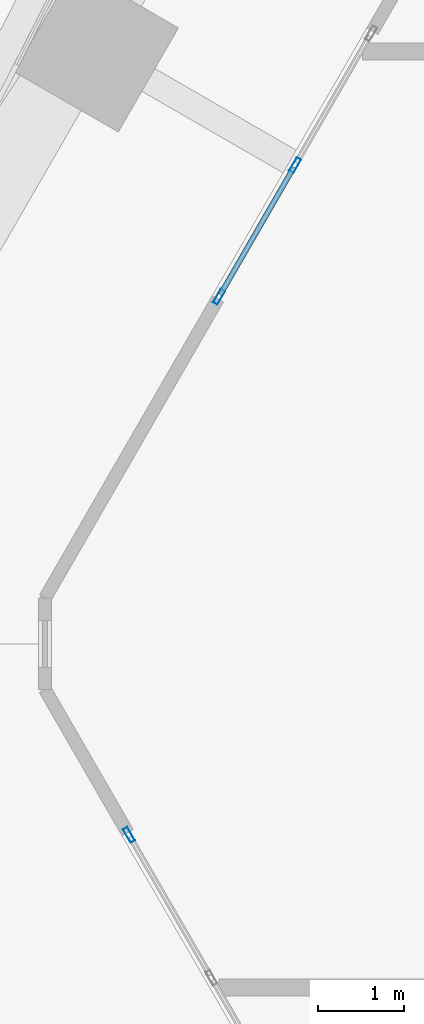
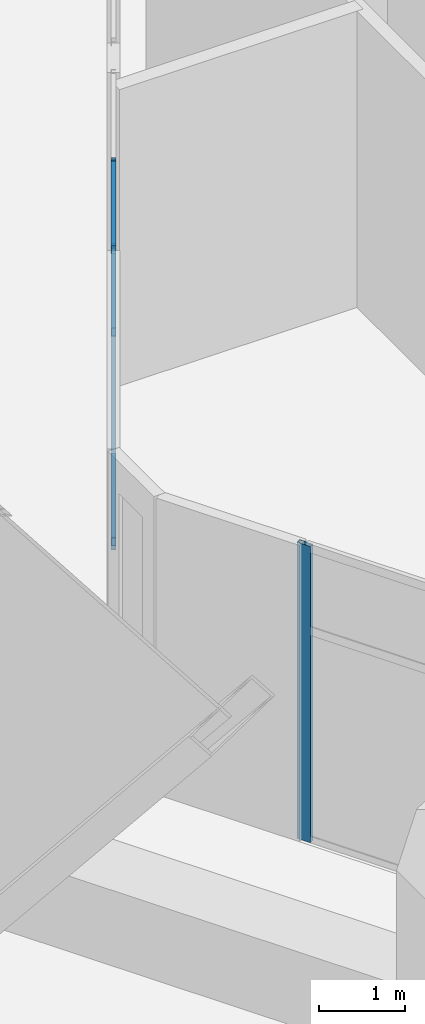
# One storey, part 23 of 71: 6 members, 2 elements without a shape of their own.
"""IFC4 building model written with IfcOpenShell, lengths in metres."""

from ifc_helpers import new_model, si_unit, direction, frame, origin, origin_2d, place, context, subcontext, project, spatial, hollow_rectangle, extrude, material, material_profile, profile_set, type_object, element, aggregate, save


model = new_model("IFC4")

# Units and contexts
model_context = context("Model", 3, precision=1e-05, world=origin(), true_north=direction((0.0, 1.0)))
body_context = subcontext(model_context, "Body", "Model", "MODEL_VIEW")
ifc_project = project(units=[si_unit("LENGTHUNIT", "METRE"), si_unit("AREAUNIT", "SQUARE_METRE"), si_unit("VOLUMEUNIT", "CUBIC_METRE"), si_unit("PLANEANGLEUNIT", "RADIAN"), si_unit("MASSUNIT", "GRAM", prefix="KILO")], contexts=[model_context])

# Site, building, storey
site_placement = place(None, origin())
site = spatial("IfcSite", under=ifc_project, at=site_placement, CompositionType="ELEMENT")
building_placement = place(site_placement, origin())
building = spatial("IfcBuilding", under=site, at=building_placement, Name="Ostrander Bayou Hotel Tower", CompositionType="ELEMENT")
storey_placement = place(building_placement, frame((0.0, 0.0, 10.0)))
storey = spatial("IfcBuildingStorey", under=building, at=storey_placement, Name="L02", CompositionType="ELEMENT", Elevation=10.0)

# Curtain wall, members
ifc_material_1 = material(Name="Aluminium and clear glass", Category="aluminium")
curtain_wall_type = type_object("IfcCurtainWallType", Name="CW-SKY amenity glass wall", PredefinedType="NOTDEFINED", material=ifc_material_1)
curtain_wall_1_placement = place(storey_placement, origin())
curtain_wall_1 = element("IfcCurtainWall", 1, at=curtain_wall_1_placement, inside=storey, type_object=curtain_wall_type, Name="CW-SKY L02 NW 4", PredefinedType="NOTDEFINED")
ifc_material_2 = material(Name="Aluminium", Category="aluminium")
ifc_material_profile_1 = material_profile(ifc_material_2, hollow_rectangle(XDim=0.06005859375, YDim=0.179931640625, WallThickness=0.00390625, at=origin_2d()))
ifc_profile_set_1 = profile_set([ifc_material_profile_1], Name="Aluminium")
member_type_1 = type_object("IfcMemberType", Name="CW-SK mullion 60 x 180 mm", PredefinedType="MULLION", material=ifc_profile_set_1)
member_1_placement = place(storey_placement, frame((-18.056396484375, 5.5751953125, 0.0), z_axis=(0.0, 0.0, 1.0), x_axis=(0.866025997283, -0.499998972029, 0.0)))
member_1 = element("IfcMember", 2, at=member_1_placement, type_object=member_type_1, Name="CW-SKY mullion 2", PredefinedType="MULLION", context=body_context, shape_type="SweptSolid", body=[
    extrude(hollow_rectangle(XDim=0.06005859375, YDim=0.179931640625, WallThickness=0.00390625, at=origin_2d()), origin(), (0.0, 0.0, 1.0), 4.199951171875),
])
member_2_placement = place(storey_placement, frame((-18.94140625, 4.042236328125, 0.0), z_axis=(0.0, 0.0, 1.0), x_axis=(0.866025997283, -0.499998972029, 0.0)))
member_2 = element("IfcMember", 3, at=member_2_placement, type_object=member_type_1, Name="CW-SKY mullion 3", PredefinedType="MULLION", context=body_context, shape_type="SweptSolid", body=[
    extrude(hollow_rectangle(XDim=0.06005859375, YDim=0.179931640625, WallThickness=0.00390625, at=origin_2d()), origin(), (0.0, 0.0, 1.0), 4.199951171875),
])

# Curtain wall, member
curtain_wall_2_placement = place(storey_placement, origin())
curtain_wall_2 = element("IfcCurtainWall", 4, at=curtain_wall_2_placement, inside=storey, type_object=curtain_wall_type, Name="CW-SKY L02 SW 1", PredefinedType="NOTDEFINED")
member_3_placement = place(storey_placement, frame((-19.991455078125, -2.2236328125, 0.0), z_axis=(0.0, 0.0, 1.0), x_axis=(0.866025463091, 0.499999897278, 0.0)))
member_3 = element("IfcMember", 5, at=member_3_placement, type_object=member_type_1, Name="CW-SKY mullion 1", PredefinedType="MULLION", context=body_context, shape_type="SweptSolid", body=[
    extrude(hollow_rectangle(XDim=0.06005859375, YDim=0.179931640625, WallThickness=0.00390625, at=origin_2d()), origin(), (0.0, 0.0, 1.0), 4.199951171875),
])
aggregate(curtain_wall_2, [member_3])

# Member
ifc_material_3 = material(Name="Aluminium", Category="aluminium")
ifc_material_profile_2 = material_profile(ifc_material_3, hollow_rectangle(XDim=0.06005859375, YDim=0.1201171875, WallThickness=0.00390625, at=origin_2d()))
ifc_profile_set_2 = profile_set([ifc_material_profile_2], Name="Aluminium")
member_type_2 = type_object("IfcMemberType", Name="CW-SK transom 60 x 120 mm", PredefinedType="USERDEFINED", material=ifc_profile_set_2)
member_4_placement = place(storey_placement, frame((-18.071533203125, 5.549072265625, 0.030029296875), z_axis=(-0.500039688951, -0.866002488145, 0.0), x_axis=(0.866002488145, -0.500039688951, 0.0)))
member_4 = element("IfcMember", 6, at=member_4_placement, type_object=member_type_2, Name="CW-SKY transom 2.1", ObjectType="TRANSOM", PredefinedType="USERDEFINED", context=body_context, shape_type="SweptSolid", body=[
    extrude(hollow_rectangle(XDim=0.06005859375, YDim=0.1201171875, WallThickness=0.00390625, at=origin_2d()), origin(), (0.0, 0.0, 1.0), 1.709716796875),
])

member_5_placement = place(storey_placement, frame((-18.071533203125, 5.549072265625, 3.0), z_axis=(-0.500039688951, -0.866002488145, 0.0), x_axis=(0.866002488145, -0.500039688951, 0.0)))
member_5 = element("IfcMember", 7, at=member_5_placement, type_object=member_type_2, Name="CW-SKY transom 2.2", ObjectType="TRANSOM", PredefinedType="USERDEFINED", context=body_context, shape_type="SweptSolid", body=[
    extrude(hollow_rectangle(XDim=0.06005859375, YDim=0.1201171875, WallThickness=0.00390625, at=origin_2d()), origin(), (0.0, 0.0, 1.0), 1.709716796875),
])

member_6_placement = place(storey_placement, frame((-18.071533203125, 5.549072265625, 4.169921875), z_axis=(-0.500039688951, -0.866002488145, 0.0), x_axis=(0.866002488145, -0.500039688951, 0.0)))
member_6 = element("IfcMember", 8, at=member_6_placement, type_object=member_type_2, Name="CW-SKY transom 2.3", ObjectType="TRANSOM", PredefinedType="USERDEFINED", context=body_context, shape_type="SweptSolid", body=[
    extrude(hollow_rectangle(XDim=0.06005859375, YDim=0.1201171875, WallThickness=0.00390625, at=origin_2d()), origin(), (0.0, 0.0, 1.0), 1.709716796875),
])

aggregate(curtain_wall_1, [member_1, member_2, member_4, member_5, member_6])

save(model, "model.ifc")
